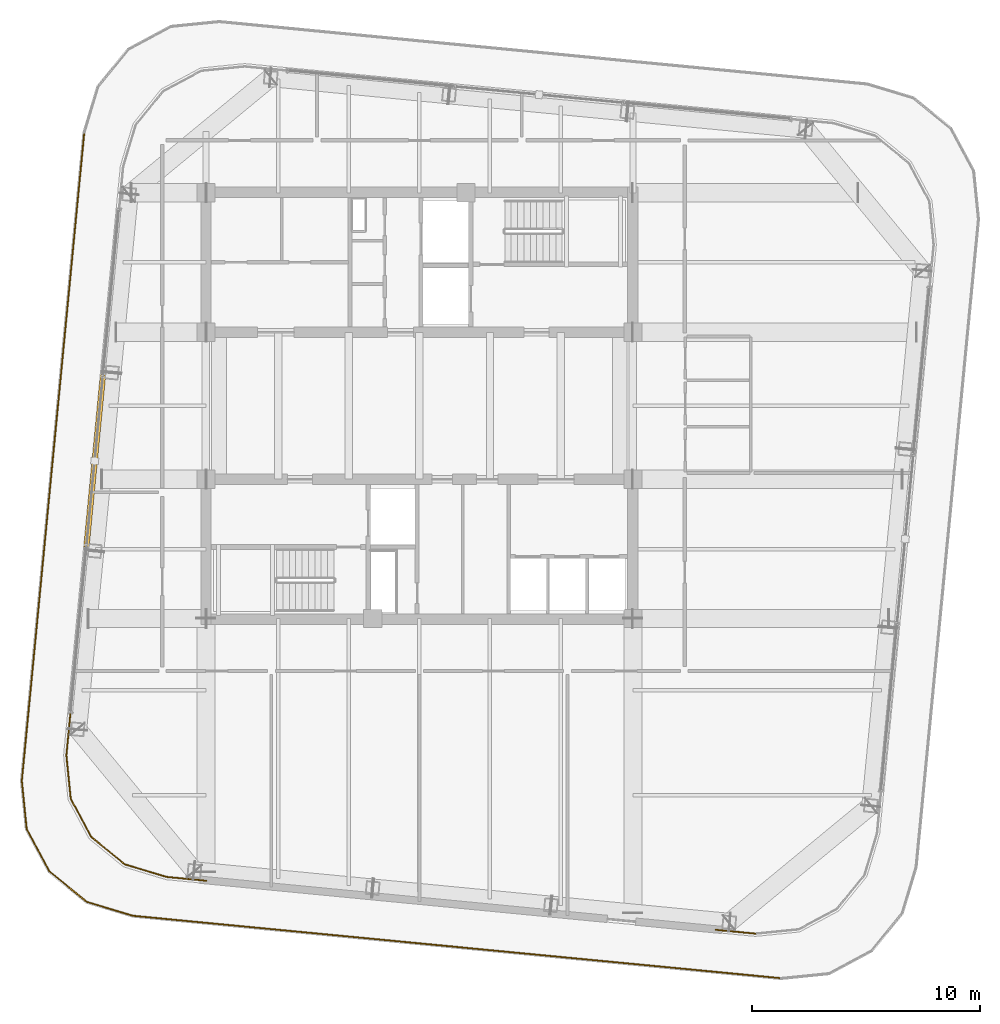
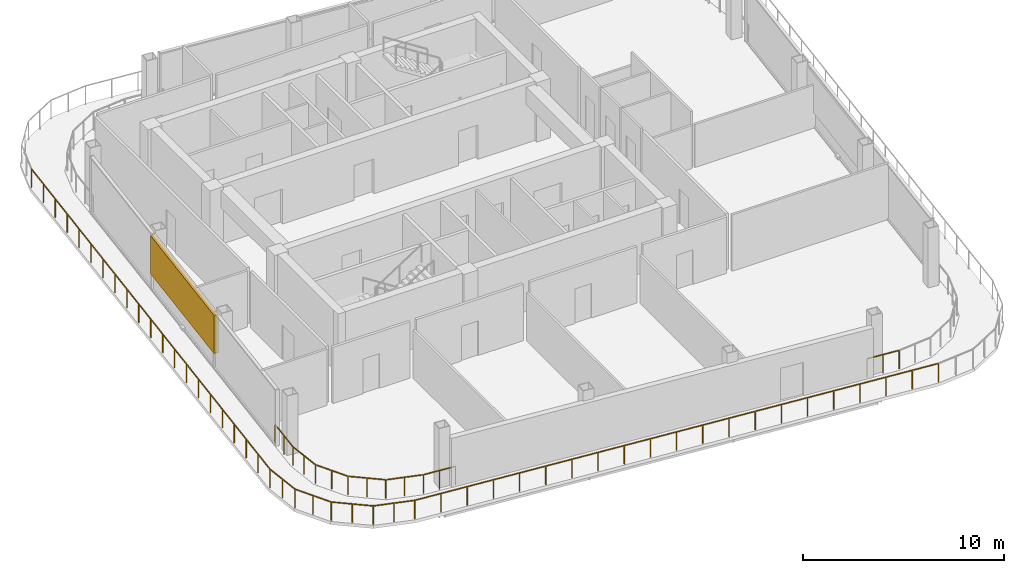
# One storey, part 16 of 20: 8 railings, 1 shading device.
"""IFC4 building model written with IfcOpenShell, lengths in metres."""

from ifc_helpers import new_model, si_unit, direction, frame, origin, origin_2d, place, context, subcontext, project, spatial, rectangle, extrude, material, type_object, element, save


model = new_model("IFC4")

# Units and contexts
model_context = context("Model", 3, precision=1e-05, world=origin(), true_north=direction((0.0, 1.0)))
body_context = subcontext(model_context, "Body", "Model", "MODEL_VIEW")
ifc_project = project(units=[si_unit("LENGTHUNIT", "METRE"), si_unit("AREAUNIT", "SQUARE_METRE"), si_unit("VOLUMEUNIT", "CUBIC_METRE"), si_unit("PLANEANGLEUNIT", "RADIAN"), si_unit("MASSUNIT", "GRAM", prefix="KILO")], contexts=[model_context])

# Site, building, storey
site_placement = place(None, origin())
site = spatial("IfcSite", under=ifc_project, at=site_placement, CompositionType="ELEMENT")
building_placement = place(site_placement, origin())
building = spatial("IfcBuilding", under=site, at=building_placement, Name="Qhalaya Broadcast Tower", CompositionType="ELEMENT")
storey_placement = place(building_placement, frame((0.0, 0.0, 273.35009765625)))
storey = spatial("IfcBuildingStorey", under=building, at=storey_placement, Name="L81", CompositionType="ELEMENT", Elevation=273.35009765625)

# Railings
ifc_material_1 = material(Name="Powder-Coated Galvanised Steel", Category="steel")
railing_type = type_object("IfcRailingType", Name="Terrace, Sky-Pool & Lookout Glass Balustrade 1150", PredefinedType="BALUSTRADE", material=ifc_material_1)
railing_1_placement = place(storey_placement, frame((15.876220703125, -24.5390625, 0.0)))
element("IfcRailing", 1, at=railing_1_placement, inside=storey, type_object=railing_type, Name="L81 Perimeter Safety Balustrade BAL-TER1-01", PredefinedType="BALUSTRADE", context=body_context, shape_type="SweptSolid", body=[
    extrude(rectangle(XDim=0.048095703125, YDim=0.048095703125, at=origin_2d()), frame((0.0, 0.0, 1.1259765625), z_axis=(-0.995395968782, 0.095848136823, 0.0), x_axis=(-0.095848136823, -0.995395968782, 0.0)), (0.0, 0.0, 1.0), 28.584228515625),
    extrude(rectangle(XDim=0.0419921875, YDim=0.0419921875, at=origin_2d()), origin(), (0.0, 0.0, 1.0), 1.099853515625),
    extrude(rectangle(XDim=0.0419921875, YDim=0.0419921875, at=origin_2d()), frame((-1.422607421875, 0.136962890625, 0.0)), (0.0, 0.0, 1.0), 1.099853515625),
    extrude(rectangle(XDim=0.0419921875, YDim=0.0419921875, at=origin_2d()), frame((-2.84521484375, 0.27392578125, 0.0)), (0.0, 0.0, 1.0), 1.099853515625),
    extrude(rectangle(XDim=0.0419921875, YDim=0.0419921875, at=origin_2d()), frame((-4.267822265625, 0.410888671875, 0.0)), (0.0, 0.0, 1.0), 1.099853515625),
    extrude(rectangle(XDim=0.0419921875, YDim=0.0419921875, at=origin_2d()), frame((-5.6904296875, 0.5478515625, 0.0)), (0.0, 0.0, 1.0), 1.099853515625),
    extrude(rectangle(XDim=0.0419921875, YDim=0.0419921875, at=origin_2d()), frame((-7.11328125, 0.68505859375, 0.0)), (0.0, 0.0, 1.0), 1.099853515625),
    extrude(rectangle(XDim=0.0419921875, YDim=0.0419921875, at=origin_2d()), frame((-8.535888671875, 0.822021484375, 0.0)), (0.0, 0.0, 1.0), 1.099853515625),
    extrude(rectangle(XDim=0.0419921875, YDim=0.0419921875, at=origin_2d()), frame((-9.95849609375, 0.958984375, 0.0)), (0.0, 0.0, 1.0), 1.099853515625),
    extrude(rectangle(XDim=0.0419921875, YDim=0.0419921875, at=origin_2d()), frame((-11.381103515625, 1.095947265625, 0.0)), (0.0, 0.0, 1.0), 1.099853515625),
    extrude(rectangle(XDim=0.0419921875, YDim=0.0419921875, at=origin_2d()), frame((-12.8037109375, 1.23291015625, 0.0)), (0.0, 0.0, 1.0), 1.099853515625),
    extrude(rectangle(XDim=0.0419921875, YDim=0.0419921875, at=origin_2d()), frame((-14.226318359375, 1.369873046875, 0.0)), (0.0, 0.0, 1.0), 1.099853515625),
    extrude(rectangle(XDim=0.0419921875, YDim=0.0419921875, at=origin_2d()), frame((-15.64892578125, 1.5068359375, 0.0)), (0.0, 0.0, 1.0), 1.099853515625),
    extrude(rectangle(XDim=0.0419921875, YDim=0.0419921875, at=origin_2d()), frame((-17.071533203125, 1.643798828125, 0.0)), (0.0, 0.0, 1.0), 1.099853515625),
    extrude(rectangle(XDim=0.0419921875, YDim=0.0419921875, at=origin_2d()), frame((-18.494140625, 1.78076171875, 0.0)), (0.0, 0.0, 1.0), 1.099853515625),
    extrude(rectangle(XDim=0.0419921875, YDim=0.0419921875, at=origin_2d()), frame((-19.916748046875, 1.917724609375, 0.0)), (0.0, 0.0, 1.0), 1.099853515625),
    extrude(rectangle(XDim=0.0419921875, YDim=0.0419921875, at=origin_2d()), frame((-21.33935546875, 2.0546875, 0.0)), (0.0, 0.0, 1.0), 1.099853515625),
    extrude(rectangle(XDim=0.0419921875, YDim=0.0419921875, at=origin_2d()), frame((-22.76220703125, 2.19189453125, 0.0)), (0.0, 0.0, 1.0), 1.099853515625),
    extrude(rectangle(XDim=0.0419921875, YDim=0.0419921875, at=origin_2d()), frame((-24.184814453125, 2.328857421875, 0.0)), (0.0, 0.0, 1.0), 1.099853515625),
    extrude(rectangle(XDim=0.0419921875, YDim=0.0419921875, at=origin_2d()), frame((-25.607421875, 2.4658203125, 0.0)), (0.0, 0.0, 1.0), 1.099853515625),
    extrude(rectangle(XDim=0.0419921875, YDim=0.0419921875, at=origin_2d()), frame((-27.030029296875, 2.602783203125, 0.0)), (0.0, 0.0, 1.0), 1.099853515625),
    extrude(rectangle(XDim=0.0419921875, YDim=0.0419921875, at=origin_2d()), frame((-28.45263671875, 2.73974609375, 0.0)), (0.0, 0.0, 1.0), 1.099853515625),
])
railing_2_placement = place(storey_placement, frame((-12.576416015625, -21.79931640625, 0.0)))
element("IfcRailing", 2, at=railing_2_placement, inside=storey, type_object=railing_type, Name="L81 Perimeter Safety Balustrade BAL-TER1-02", PredefinedType="BALUSTRADE", context=body_context, shape_type="SweptSolid", body=[
    extrude(rectangle(XDim=0.048095703125, YDim=0.048095703125, at=origin_2d()), frame((0.0, 0.0, 1.1259765625), z_axis=(-0.957578968467, 0.288170989429, 0.0), x_axis=(-0.288170989429, -0.957578968467, 0.0)), (0.0, 0.0, 1.0), 2.122314453125),
    extrude(rectangle(XDim=0.0419921875, YDim=0.0419921875, at=origin_2d()), origin(), (0.0, 0.0, 1.0), 1.099853515625),
    extrude(rectangle(XDim=0.0419921875, YDim=0.0419921875, at=origin_2d()), frame((-1.01611328125, 0.3056640625, 0.0)), (0.0, 0.0, 1.0), 1.099853515625),
    extrude(rectangle(XDim=0.0419921875, YDim=0.0419921875, at=origin_2d()), frame((-2.0322265625, 0.611572265625, 0.0)), (0.0, 0.0, 1.0), 1.099853515625),
])
railing_3_placement = place(storey_placement, frame((-14.608642578125, -21.187744140625, 0.0)))
element("IfcRailing", 3, at=railing_3_placement, inside=storey, type_object=railing_type, Name="L81 Perimeter Safety Balustrade BAL-TER1-03", PredefinedType="BALUSTRADE", context=body_context, shape_type="SweptSolid", body=[
    extrude(rectangle(XDim=0.048095703125, YDim=0.048095703125, at=origin_2d()), frame((0.0, 0.0, 1.1259765625), z_axis=(-0.7743944441, 0.632703125444, 0.0), x_axis=(-0.632703125444, -0.7743944441, 0.0)), (0.0, 0.0, 1.0), 2.1142578125),
    extrude(rectangle(XDim=0.0419921875, YDim=0.0419921875, at=origin_2d()), origin(), (0.0, 0.0, 1.0), 1.099853515625),
    extrude(rectangle(XDim=0.0419921875, YDim=0.0419921875, at=origin_2d()), frame((-0.818603515625, 0.6689453125, 0.0)), (0.0, 0.0, 1.0), 1.099853515625),
    extrude(rectangle(XDim=0.0419921875, YDim=0.0419921875, at=origin_2d()), frame((-1.63720703125, 1.337646484375, 0.0)), (0.0, 0.0, 1.0), 1.099853515625),
])
railing_4_placement = place(storey_placement, frame((-16.245849609375, -19.85009765625, 0.0)))
element("IfcRailing", 4, at=railing_4_placement, inside=storey, type_object=railing_type, Name="L81 Perimeter Safety Balustrade BAL-TER1-04", PredefinedType="BALUSTRADE", context=body_context, shape_type="SweptSolid", body=[
    extrude(rectangle(XDim=0.048095703125, YDim=0.048095703125, at=origin_2d()), frame((0.0, 0.0, 1.1259765625), z_axis=(-0.473259423957, 0.880923105404, 0.0), x_axis=(-0.880923105404, -0.473259423957, 0.0)), (0.0, 0.0, 1.0), 2.114013671875),
    extrude(rectangle(XDim=0.0419921875, YDim=0.0419921875, at=origin_2d()), origin(), (0.0, 0.0, 1.0), 1.099853515625),
    extrude(rectangle(XDim=0.0419921875, YDim=0.0419921875, at=origin_2d()), frame((-0.500244140625, 0.93115234375, 0.0)), (0.0, 0.0, 1.0), 1.099853515625),
    extrude(rectangle(XDim=0.0419921875, YDim=0.0419921875, at=origin_2d()), frame((-1.00048828125, 1.8623046875, 0.0)), (0.0, 0.0, 1.0), 1.099853515625),
])
railing_5_placement = place(storey_placement, frame((-17.246337890625, -17.98779296875, 0.0)))
element("IfcRailing", 5, at=railing_5_placement, inside=storey, type_object=railing_type, Name="L81 Perimeter Safety Balustrade BAL-TER1-05", PredefinedType="BALUSTRADE", context=body_context, shape_type="SweptSolid", body=[
    extrude(rectangle(XDim=0.048095703125, YDim=0.048095703125, at=origin_2d()), frame((0.0, 0.0, 1.1259765625), z_axis=(-0.100198481383, 0.99496746898, 0.0), x_axis=(-0.99496746898, -0.100198481383, 0.0)), (0.0, 0.0, 1.0), 2.122314453125),
    extrude(rectangle(XDim=0.0419921875, YDim=0.0419921875, at=origin_2d()), origin(), (0.0, 0.0, 1.0), 1.099853515625),
    extrude(rectangle(XDim=0.0419921875, YDim=0.0419921875, at=origin_2d()), frame((-0.1064453125, 1.0556640625, 0.0)), (0.0, 0.0, 1.0), 1.099853515625),
    extrude(rectangle(XDim=0.0419921875, YDim=0.0419921875, at=origin_2d()), frame((-0.212646484375, 2.111572265625, 0.0)), (0.0, 0.0, 1.0), 1.099853515625),
])
railing_6_placement = place(storey_placement, frame((-17.458984375, -15.876220703125, 0.0)))
element("IfcRailing", 6, at=railing_6_placement, inside=storey, type_object=railing_type, Name="L81 Perimeter Safety Balustrade BAL-TER1-06", PredefinedType="BALUSTRADE", context=body_context, shape_type="SweptSolid", body=[
    extrude(rectangle(XDim=0.048095703125, YDim=0.048095703125, at=origin_2d()), frame((0.0, 0.0, 1.1259765625), z_axis=(0.095839674187, 0.995396783625, 0.0), x_axis=(-0.995396783625, 0.095839674187, 0.0)), (0.0, 0.0, 1.0), 28.584228515625),
    extrude(rectangle(XDim=0.0419921875, YDim=0.0419921875, at=origin_2d()), origin(), (0.0, 0.0, 1.0), 1.099853515625),
    extrude(rectangle(XDim=0.0419921875, YDim=0.0419921875, at=origin_2d()), frame((0.136962890625, 1.422607421875, 0.0)), (0.0, 0.0, 1.0), 1.099853515625),
    extrude(rectangle(XDim=0.0419921875, YDim=0.0419921875, at=origin_2d()), frame((0.27392578125, 2.84521484375, 0.0)), (0.0, 0.0, 1.0), 1.099853515625),
    extrude(rectangle(XDim=0.0419921875, YDim=0.0419921875, at=origin_2d()), frame((0.410888671875, 4.267822265625, 0.0)), (0.0, 0.0, 1.0), 1.099853515625),
    extrude(rectangle(XDim=0.0419921875, YDim=0.0419921875, at=origin_2d()), frame((0.5478515625, 5.6904296875, 0.0)), (0.0, 0.0, 1.0), 1.099853515625),
    extrude(rectangle(XDim=0.0419921875, YDim=0.0419921875, at=origin_2d()), frame((0.684814453125, 7.11328125, 0.0)), (0.0, 0.0, 1.0), 1.099853515625),
    extrude(rectangle(XDim=0.0419921875, YDim=0.0419921875, at=origin_2d()), frame((0.82177734375, 8.535888671875, 0.0)), (0.0, 0.0, 1.0), 1.099853515625),
    extrude(rectangle(XDim=0.0419921875, YDim=0.0419921875, at=origin_2d()), frame((0.958740234375, 9.95849609375, 0.0)), (0.0, 0.0, 1.0), 1.099853515625),
    extrude(rectangle(XDim=0.0419921875, YDim=0.0419921875, at=origin_2d()), frame((1.095703125, 11.381103515625, 0.0)), (0.0, 0.0, 1.0), 1.099853515625),
    extrude(rectangle(XDim=0.0419921875, YDim=0.0419921875, at=origin_2d()), frame((1.232666015625, 12.8037109375, 0.0)), (0.0, 0.0, 1.0), 1.099853515625),
    extrude(rectangle(XDim=0.0419921875, YDim=0.0419921875, at=origin_2d()), frame((1.36962890625, 14.226318359375, 0.0)), (0.0, 0.0, 1.0), 1.099853515625),
    extrude(rectangle(XDim=0.0419921875, YDim=0.0419921875, at=origin_2d()), frame((1.5068359375, 15.64892578125, 0.0)), (0.0, 0.0, 1.0), 1.099853515625),
    extrude(rectangle(XDim=0.0419921875, YDim=0.0419921875, at=origin_2d()), frame((1.643798828125, 17.071533203125, 0.0)), (0.0, 0.0, 1.0), 1.099853515625),
    extrude(rectangle(XDim=0.0419921875, YDim=0.0419921875, at=origin_2d()), frame((1.78076171875, 18.494140625, 0.0)), (0.0, 0.0, 1.0), 1.099853515625),
    extrude(rectangle(XDim=0.0419921875, YDim=0.0419921875, at=origin_2d()), frame((1.917724609375, 19.916748046875, 0.0)), (0.0, 0.0, 1.0), 1.099853515625),
    extrude(rectangle(XDim=0.0419921875, YDim=0.0419921875, at=origin_2d()), frame((2.0546875, 21.33935546875, 0.0)), (0.0, 0.0, 1.0), 1.099853515625),
    extrude(rectangle(XDim=0.0419921875, YDim=0.0419921875, at=origin_2d()), frame((2.191650390625, 22.76220703125, 0.0)), (0.0, 0.0, 1.0), 1.099853515625),
    extrude(rectangle(XDim=0.0419921875, YDim=0.0419921875, at=origin_2d()), frame((2.32861328125, 24.184814453125, 0.0)), (0.0, 0.0, 1.0), 1.099853515625),
    extrude(rectangle(XDim=0.0419921875, YDim=0.0419921875, at=origin_2d()), frame((2.465576171875, 25.607421875, 0.0)), (0.0, 0.0, 1.0), 1.099853515625),
    extrude(rectangle(XDim=0.0419921875, YDim=0.0419921875, at=origin_2d()), frame((2.6025390625, 27.030029296875, 0.0)), (0.0, 0.0, 1.0), 1.099853515625),
    extrude(rectangle(XDim=0.0419921875, YDim=0.0419921875, at=origin_2d()), frame((2.739501953125, 28.45263671875, 0.0)), (0.0, 0.0, 1.0), 1.099853515625),
])
railing_7_placement = place(storey_placement, frame((14.754638671875, -22.58251953125, 0.0)))
element("IfcRailing", 7, at=railing_7_placement, inside=storey, type_object=railing_type, Name="L81 Rounded Corner Perimeter Guard 01", PredefinedType="BALUSTRADE", context=body_context, shape_type="SweptSolid", body=[
    extrude(rectangle(XDim=0.048095703125, YDim=0.048095703125, at=origin_2d()), frame((0.0, 0.0, 1.1259765625), z_axis=(-0.99540189436, 0.09578657894, 0.0), x_axis=(-0.09578657894, -0.99540189436, 0.0)), (0.0, 0.0, 1.0), 1.756103515625),
    extrude(rectangle(XDim=0.0419921875, YDim=0.0419921875, at=origin_2d()), origin(), (0.0, 0.0, 1.0), 1.099853515625),
    extrude(rectangle(XDim=0.0419921875, YDim=0.0419921875, at=origin_2d()), frame((-0.8740234375, 0.083984375, 0.0)), (0.0, 0.0, 1.0), 1.099853515625),
    extrude(rectangle(XDim=0.0419921875, YDim=0.0419921875, at=origin_2d()), frame((-1.748046875, 0.168212890625, 0.0)), (0.0, 0.0, 1.0), 1.099853515625),
])
railing_8_placement = place(storey_placement, frame((-9.35400390625, -20.260986328125, 0.0)))
element("IfcRailing", 8, at=railing_8_placement, inside=storey, type_object=railing_type, Name="L81 Rounded Corner Perimeter Guard 02", PredefinedType="BALUSTRADE", context=body_context, shape_type="SweptSolid", body=[
    extrude(rectangle(XDim=0.048095703125, YDim=0.048095703125, at=origin_2d()), frame((0.0, 0.0, 1.1259765625), z_axis=(-0.99540189436, 0.09578657894, 0.0), x_axis=(-0.09578657894, -0.99540189436, 0.0)), (0.0, 0.0, 1.0), 1.727294921875),
    extrude(rectangle(XDim=0.048095703125, YDim=0.048095703125, at=origin_2d()), frame((-1.775634765625, 0.176513671875, 1.1259765625), z_axis=(-0.957601447485, 0.288096282124, 0.0), x_axis=(-0.288096282124, -0.957601447485, 0.0)), (0.0, 0.0, 1.0), 1.857421875),
    extrude(rectangle(XDim=0.048095703125, YDim=0.048095703125, at=origin_2d()), frame((-3.6044921875, 0.73828125, 1.1259765625), z_axis=(-0.774357190213, 0.63274871945, 0.0), x_axis=(-0.63274871945, -0.774357190213, 0.0)), (0.0, 0.0, 1.0), 1.845703125),
    extrude(rectangle(XDim=0.048095703125, YDim=0.048095703125, at=origin_2d()), frame((-5.069580078125, 1.94970703125, 1.1259765625), z_axis=(-0.473342342286, 0.880878554058, 0.0), x_axis=(-0.880878554058, -0.473342342286, 0.0)), (0.0, 0.0, 1.0), 1.845458984375),
    extrude(rectangle(XDim=0.048095703125, YDim=0.048095703125, at=origin_2d()), frame((-5.959716796875, 3.629638671875, 1.1259765625), z_axis=(-0.100071682341, 0.994980230152, 0.0), x_axis=(-0.994980230152, -0.100071682341, 0.0)), (0.0, 0.0, 1.0), 1.857421875),
    extrude(rectangle(XDim=0.048095703125, YDim=0.048095703125, at=origin_2d()), frame((-6.145751953125, 5.53515625, 1.1259765625), z_axis=(0.095782687057, 0.995402268864, 0.0), x_axis=(-0.995402268864, 0.095782687057, 0.0)), (0.0, 0.0, 1.0), 2.08935546875),
    extrude(rectangle(XDim=0.0419921875, YDim=0.0419921875, at=origin_2d()), origin(), (0.0, 0.0, 1.0), 1.099853515625),
    extrude(rectangle(XDim=0.0419921875, YDim=0.0419921875, at=origin_2d()), frame((-0.8740234375, 0.083984375, 0.0)), (0.0, 0.0, 1.0), 1.099853515625),
    extrude(rectangle(XDim=0.0419921875, YDim=0.0419921875, at=origin_2d()), frame((-1.748046875, 0.168212890625, 0.0)), (0.0, 0.0, 1.0), 1.099853515625),
    extrude(rectangle(XDim=0.0419921875, YDim=0.0419921875, at=origin_2d()), frame((-2.6650390625, 0.444091796875, 0.0)), (0.0, 0.0, 1.0), 1.099853515625),
    extrude(rectangle(XDim=0.0419921875, YDim=0.0419921875, at=origin_2d()), frame((-3.58203125, 0.719970703125, 0.0)), (0.0, 0.0, 1.0), 1.099853515625),
    extrude(rectangle(XDim=0.0419921875, YDim=0.0419921875, at=origin_2d()), frame((-4.31884765625, 1.322265625, 0.0)), (0.0, 0.0, 1.0), 1.099853515625),
    extrude(rectangle(XDim=0.0419921875, YDim=0.0419921875, at=origin_2d()), frame((-5.055908203125, 1.92431640625, 0.0)), (0.0, 0.0, 1.0), 1.099853515625),
    extrude(rectangle(XDim=0.0419921875, YDim=0.0419921875, at=origin_2d()), frame((-5.50634765625, 2.7626953125, 0.0)), (0.0, 0.0, 1.0), 1.099853515625),
    extrude(rectangle(XDim=0.0419921875, YDim=0.0419921875, at=origin_2d()), frame((-5.956787109375, 3.600830078125, 0.0)), (0.0, 0.0, 1.0), 1.099853515625),
    extrude(rectangle(XDim=0.0419921875, YDim=0.0419921875, at=origin_2d()), frame((-6.052734375, 4.5537109375, 0.0)), (0.0, 0.0, 1.0), 1.099853515625),
    extrude(rectangle(XDim=0.0419921875, YDim=0.0419921875, at=origin_2d()), frame((-6.1484375, 5.50634765625, 0.0)), (0.0, 0.0, 1.0), 1.099853515625),
    extrude(rectangle(XDim=0.0419921875, YDim=0.0419921875, at=origin_2d()), frame((-6.046875, 6.560546875, 0.0)), (0.0, 0.0, 1.0), 1.099853515625),
    extrude(rectangle(XDim=0.0419921875, YDim=0.0419921875, at=origin_2d()), frame((-5.945556640625, 7.61474609375, 0.0)), (0.0, 0.0, 1.0), 1.099853515625),
])

# Shading device
ifc_material_2 = material(Name="Fired Architectural Terracotta", Category="masonry")
shading_device_type = type_object("IfcShadingDeviceType", Name="Terracotta Baguette Solar Screen Assembly TBS-01", PredefinedType="USERDEFINED", material=ifc_material_2)
shading_device_placement = place(storey_placement, frame((-14.2578125, -1.826171875, 0.95458984375), z_axis=(0.0, 0.0, 1.0), x_axis=(-0.09584575252, -0.995396198367, 0.0)))
element("IfcShadingDevice", 9, at=shading_device_placement, inside=storey, type_object=shading_device_type, Name="L81 Fired Terracotta Baguette Screen W", ObjectType="BAGUETTE", PredefinedType="USERDEFINED", context=body_context, shape_type="SweptSolid", body=[
    extrude(rectangle(XDim=7.60009765625, YDim=0.239990234375, at=origin_2d()), origin(), (0.0, 0.0, 1.0), 2.319091796875),
])

save(model, "model.ifc")
